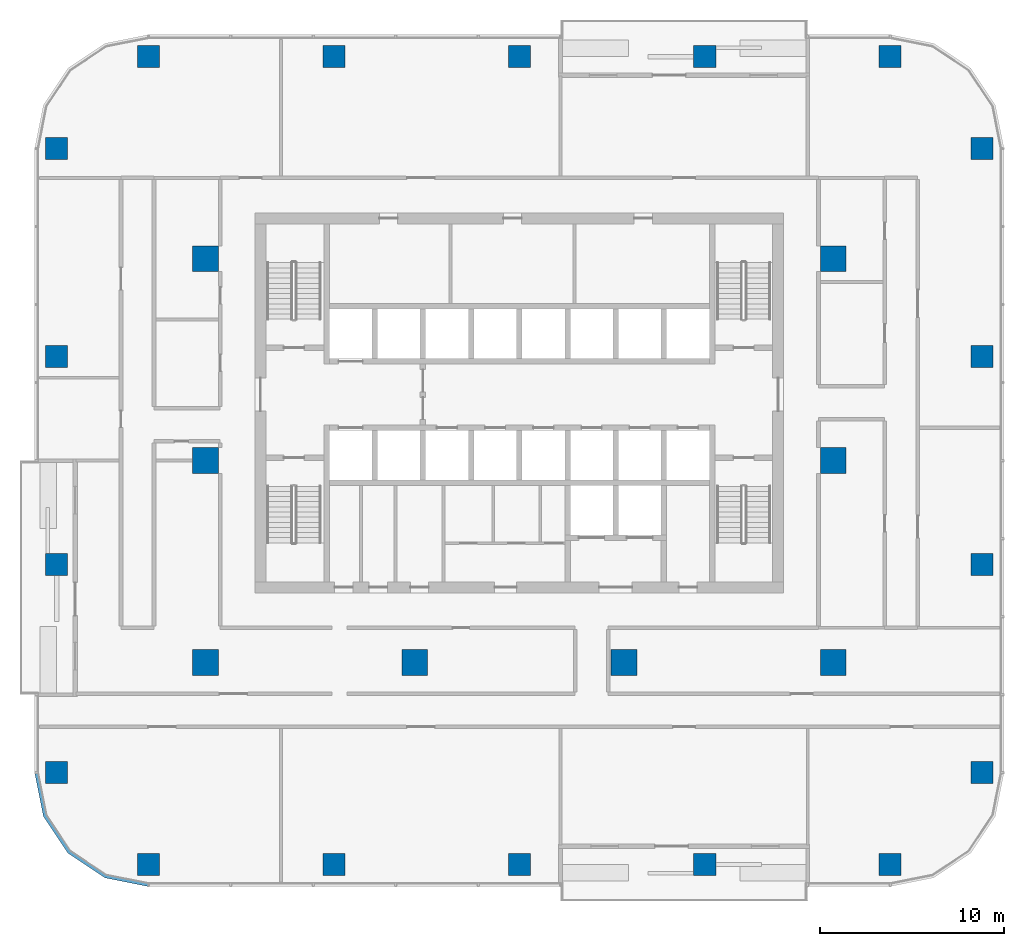
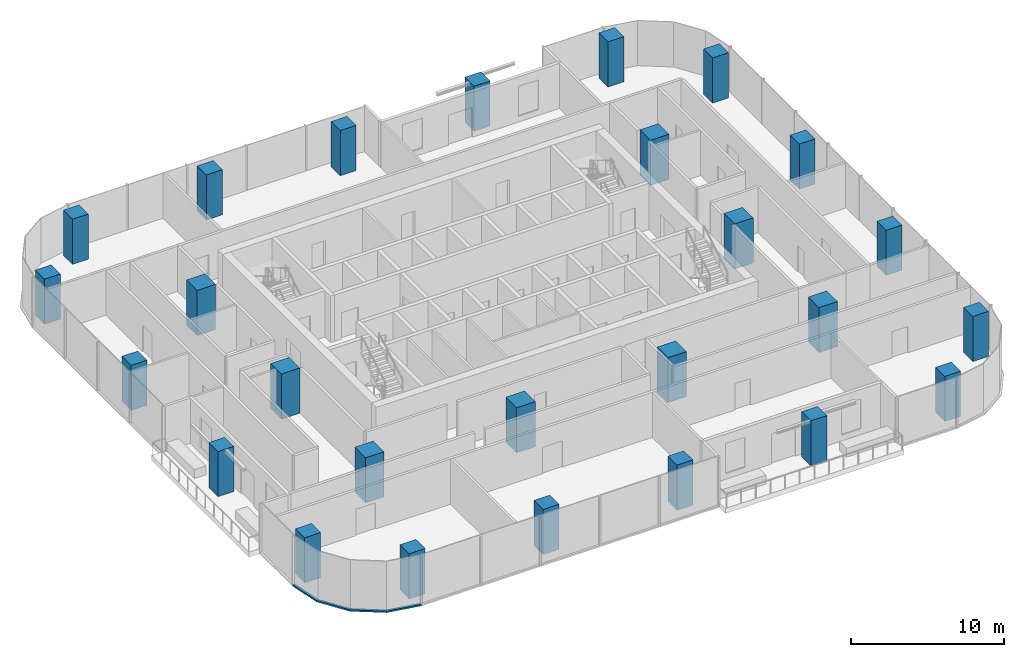
# One storey, part 1 of 14: 26 columns, 1 member, 1 element without a shape of its own.
"""IFC4 building model written with IfcOpenShell, lengths in metres."""

import ifcopenshell
import ifcopenshell.guid

model = None  # the IFC model being written
_history = None  # IfcOwnerHistory: only IFC2X3 demands one
_inside = {}  # id of a spatial element -> (the spatial element, [elements in it])
_under = {}  # id of a project, library or spatial element -> (it, [spatial elements below it])
_declared = {}  # id of a project -> (the project, [libraries it declares])
_typed = {}  # id of a type object -> (the type object, [elements of that type])
_made_of = {}  # id of a material, layer set ... -> (it, [elements and type objects made of it])


def new_model(schema):
    """Start an empty IFC model of exactly this schema.

    Asked for "IFC4X3", IfcOpenShell would pick the latest addendum, in which some entities
    have other attributes; the version numbers below select the first issue.
    IFC2X3 requires an IfcOwnerHistory on every rooted entity: one is made here for all.
    """
    global model, _history
    if schema == "IFC4X3":
        model = ifcopenshell.file(schema_version=(4, 3, 0, 0))
    else:
        model = ifcopenshell.file(schema=schema)
    _inside.clear()
    _under.clear()
    _declared.clear()
    _typed.clear()
    _made_of.clear()
    _history = None
    if model.schema == "IFC2X3":
        org = make("IfcOrganization", Name="unknown")
        user = make(
            "IfcPersonAndOrganization",
            ThePerson=make("IfcPerson", FamilyName="unknown"),
            TheOrganization=org,
        )
        app = make(
            "IfcApplication",
            ApplicationDeveloper=org,
            Version="unknown",
            ApplicationFullName="unknown",
            ApplicationIdentifier="unknown",
        )
        _history = make(
            "IfcOwnerHistory",
            OwningUser=user,
            OwningApplication=app,
            ChangeAction="ADDED",
            CreationDate=0,
        )
    return model


def make(cls, **values):
    """One entity of the class cls with the attributes given. An attribute that is None is left unset."""
    return model.create_entity(
        cls, **{name: value for name, value in values.items() if value is not None}
    )


def rooted(cls, **values):
    """An entity with a GlobalId (a new one), such as an element, a storey or a relation."""
    return make(cls, GlobalId=ifcopenshell.guid.new(), OwnerHistory=_history, **values)


def si_unit(unit_type, name, prefix=None):
    """IfcSIUnit, for example si_unit("LENGTHUNIT", "METRE", prefix="MILLI")."""
    return make("IfcSIUnit", UnitType=unit_type, Prefix=prefix, Name=name)


def assignment(units):
    """IfcUnitAssignment: the units of a project."""
    return None if units is None else make("IfcUnitAssignment", Units=units)


def point(xyz):
    """IfcCartesianPoint."""
    return None if xyz is None else make("IfcCartesianPoint", Coordinates=xyz)


def direction(xyz):
    """IfcDirection."""
    return None if xyz is None else make("IfcDirection", DirectionRatios=xyz)


def frame(location, z_axis=None, x_axis=None):
    """IfcAxis2Placement3D, a coordinate frame: its origin and axes. An axis left out is left unset."""
    return make(
        "IfcAxis2Placement3D",
        Location=point(location),
        Axis=direction(z_axis),
        RefDirection=direction(x_axis),
    )


def frame_2d(location, x_axis=None):
    """IfcAxis2Placement2D, a coordinate frame in the plane: its origin and x axis."""
    return make(
        "IfcAxis2Placement2D", Location=point(location), RefDirection=direction(x_axis)
    )


def origin():
    """The frame at (0, 0, 0) with its axes left unset."""
    return frame((0.0, 0.0, 0.0))


def origin_2d():
    """The frame at (0, 0) in the plane with its x axis left unset."""
    return frame_2d((0.0, 0.0))


def place(relative_to, where):
    """IfcLocalPlacement: puts the frame where relative to a parent placement (None: the world)."""
    return make(
        "IfcLocalPlacement", PlacementRelTo=relative_to, RelativePlacement=where
    )


def context(
    kind, dimensions, precision=None, world=None, true_north=None, identifier=None
):
    """IfcGeometricRepresentationContext, for example the 3D "Model" context."""
    return make(
        "IfcGeometricRepresentationContext",
        ContextIdentifier=identifier,
        ContextType=kind,
        CoordinateSpaceDimension=dimensions,
        Precision=precision,
        WorldCoordinateSystem=world,
        TrueNorth=true_north,
    )


def subcontext(parent, identifier, kind, view, scale=None):
    """IfcGeometricRepresentationSubContext, for example "Body" below "Model"."""
    return make(
        "IfcGeometricRepresentationSubContext",
        ContextIdentifier=identifier,
        ContextType=kind,
        ParentContext=parent,
        TargetScale=scale,
        TargetView=view,
    )


def project(units=None, contexts=None):
    """IfcProject with its units and contexts."""
    return rooted(
        "IfcProject",
        Name="project",
        RepresentationContexts=contexts,
        UnitsInContext=assignment(units),
    )


def spatial(cls, under=None, at=None, **own):
    """A site, building, storey or space (cls), placed at a placement, below another one or the project."""
    s = rooted(cls, ObjectPlacement=at, **own)
    if under is not None:
        _under.setdefault(under.id(), (under, []))[1].append(s)
    return s


def polyline(points):
    """IfcPolyline through the points."""
    return make("IfcPolyline", Points=[point(p) for p in points])


def profile(cls, at=None, kind="AREA", **sizes):
    """A parametric profile (cls). Its sizes go by their IFC names, for example OverallWidth=200.0."""
    return make(cls, ProfileType=kind, Position=at, **sizes)


def rectangle(**sizes):
    """IfcRectangleProfileDef."""
    return profile("IfcRectangleProfileDef", **sizes)


def outline(outer, holes=None, kind="AREA"):
    """IfcArbitraryClosedProfileDef: a profile drawn as a closed curve; with holes, ...WithVoids."""
    if holes is None:
        return make("IfcArbitraryClosedProfileDef", ProfileType=kind, OuterCurve=outer)
    return make(
        "IfcArbitraryProfileDefWithVoids",
        ProfileType=kind,
        OuterCurve=outer,
        InnerCurves=holes,
    )


def extrude(swept, where, along, depth):
    """IfcExtrudedAreaSolid: the profile swept, set in the frame where, extruded along a direction by depth."""
    return make(
        "IfcExtrudedAreaSolid",
        SweptArea=swept,
        Position=where,
        ExtrudedDirection=direction(along),
        Depth=depth,
    )


def shape(context_of_items, identifier, shape_type, items):
    """IfcShapeRepresentation: the items that make up one representation, for example the "Body"."""
    return make(
        "IfcShapeRepresentation",
        ContextOfItems=context_of_items,
        RepresentationIdentifier=identifier,
        RepresentationType=shape_type,
        Items=items,
    )


def material(Name=None, Category=None):
    """IfcMaterial."""
    return make("IfcMaterial", Name=Name, Category=Category)


def material_profile(
    of_material, cross_section, Name=None, Category=None, Priority=None
):
    """IfcMaterialProfile: a cross section and its material."""
    return make(
        "IfcMaterialProfile",
        Name=Name,
        Material=of_material,
        Profile=cross_section,
        Priority=Priority,
        Category=Category,
    )


def profile_set(profiles, Name=None, composite=None):
    """IfcMaterialProfileSet."""
    return make(
        "IfcMaterialProfileSet",
        Name=Name,
        MaterialProfiles=profiles,
        CompositeProfile=composite,
    )


def made_of(thing, what):
    """Note that an element or type object is made of a material, layer set ...; save() writes the relation."""
    if what is not None:
        _made_of.setdefault(what.id(), (what, []))[1].append(thing)
    return thing


def type_object(cls, material=None, **own):
    """A type object (cls), such as IfcWallType, which elements share."""
    return made_of(rooted(cls, **own), material)


def element(
    cls,
    number,
    at=None,
    inside=None,
    cuts=None,
    type_object=None,
    material=None,
    context=None,
    identifier="Body",
    shape_type=None,
    held_by="IfcProductDefinitionShape",
    body=None,
    shapes=None,
    **own,
):
    """One element of the class cls, such as IfcWall. Its Tag is "e" and its number.

    at: its placement. inside: the storey or other place that contains it. cuts: it is an
    opening in that element (IfcRelVoidsElement). A single representation is given by context,
    identifier, shape_type and body (its items); several are given by shapes. held_by: the class
    of the entity that holds the representations. save() writes the other relations.
    """
    e = rooted(cls, Tag="e%d" % number, ObjectPlacement=at, **own)
    if body is not None:
        shapes = [shape(context, identifier, shape_type, body)]
    if shapes is not None:
        e.Representation = make(held_by, Representations=shapes)
    if inside is not None:
        _inside.setdefault(inside.id(), (inside, []))[1].append(e)
    if cuts is not None:
        rooted(
            "IfcRelVoidsElement", RelatingBuildingElement=cuts, RelatedOpeningElement=e
        )
    if type_object is not None:
        _typed.setdefault(type_object.id(), (type_object, []))[1].append(e)
    return made_of(e, material)


def aggregate(whole, parts):
    """IfcRelAggregates: a whole, such as a stair, and the parts it consists of."""
    return rooted("IfcRelAggregates", RelatingObject=whole, RelatedObjects=parts)


def save(model, path):
    """Write the relations noted so far, then the file.

    IfcRelAggregates (storeys below a building ...), IfcRelContainedInSpatialStructure (elements
    in a storey), IfcRelDefinesByType, IfcRelAssociatesMaterial and IfcRelDeclares: one each for
    every whole, place, type object, material and project.
    """
    for whole, parts in _under.values():
        aggregate(whole, parts)
    for where, things in _inside.values():
        rooted(
            "IfcRelContainedInSpatialStructure",
            RelatedElements=things,
            RelatingStructure=where,
        )
    for kind, things in _typed.values():
        rooted("IfcRelDefinesByType", RelatedObjects=things, RelatingType=kind)
    for what, things in _made_of.values():
        rooted("IfcRelAssociatesMaterial", RelatedObjects=things, RelatingMaterial=what)
    for by, libraries in _declared.values():
        rooted("IfcRelDeclares", RelatingContext=by, RelatedDefinitions=libraries)
    model.write(path)


model = new_model("IFC4")

# Units and contexts
model_context = context("Model", 3, precision=1e-05, world=origin(), true_north=direction((0.0, 1.0)))
body_context = subcontext(model_context, "Body", "Model", "MODEL_VIEW")
ifc_project = project(units=[si_unit("LENGTHUNIT", "METRE"), si_unit("AREAUNIT", "SQUARE_METRE"), si_unit("VOLUMEUNIT", "CUBIC_METRE"), si_unit("PLANEANGLEUNIT", "RADIAN"), si_unit("MASSUNIT", "GRAM", prefix="KILO")], contexts=[model_context])

# Site, building, storey
site_placement = place(None, origin())
site = spatial("IfcSite", under=ifc_project, at=site_placement, CompositionType="ELEMENT")
building_placement = place(site_placement, origin())
building = spatial("IfcBuilding", under=site, at=building_placement, Name="Mopane Tessera Tower", CompositionType="ELEMENT")
storey_placement = place(building_placement, frame((0.0, 0.0, 197.0)))
storey = spatial("IfcBuildingStorey", under=building, at=storey_placement, Name="L41", CompositionType="ELEMENT", Elevation=197.0)

# Columns
ifc_material_1 = material(Name="Concrete C50/60", Category="concrete")
ifc_material_profile_1 = material_profile(ifc_material_1, rectangle(XDim=1.39990234375, YDim=1.39990234375, at=origin_2d()))
ifc_profile_set_1 = profile_set([ifc_material_profile_1], Name="Concrete C50/60")
column_type_1 = type_object("IfcColumnType", Name="Interior column 1400 x 1400 C50/60", PredefinedType="COLUMN", material=ifc_profile_set_1)
for number, where, z_axis, x_axis, name in (
    (1, (-17.10009765625, -11.0, 0.0), (0.0, 0.0, 1.0), (1.0, 0.0, 0.0), "Interior column I1A L41"),
    (2, (-17.10009765625, 0.0, 0.0), (0.0, 0.0, 1.0), (1.0, 0.0, 0.0), "Interior column I1B L41"),
    (3, (-17.10009765625, 11.0, 0.0), (0.0, 0.0, 1.0), (1.0, 0.0, 0.0), "Interior column I1C L41"),
    (4, (-5.699951171875, -11.0, 0.0), (0.0, 0.0, 1.0), (1.0, 0.0, 0.0), "Interior column I2A L41"),
    (5, (5.699951171875, -11.0, 0.0), (0.0, 0.0, 1.0), (1.0, 0.0, 0.0), "Interior column I3A L41"),
    (6, (17.10009765625, -11.0, 0.0), (0.0, 0.0, 1.0), (1.0, 0.0, 0.0), "Interior column I4A L41"),
    (7, (17.10009765625, 0.0, 0.0), (0.0, 0.0, 1.0), (1.0, 0.0, 0.0), "Interior column I4B L41"),
    (8, (17.10009765625, 11.0, 0.0), (0.0, 0.0, 1.0), (1.0, 0.0, 0.0), "Interior column I4C L41"),
):
    element("IfcColumn", number, at=place(storey_placement, frame(where, z_axis=z_axis, x_axis=x_axis)), inside=storey, type_object=column_type_1, Name=name, PredefinedType="COLUMN", context=body_context, shape_type="SweptSolid", body=[
        extrude(rectangle(XDim=1.39990234375, YDim=1.39990234375, at=origin_2d()), origin(), (0.0, 0.0, 1.0), 3.60009765625),
    ])
ifc_material_2 = material(Name="Concrete C50/60", Category="concrete")
ifc_material_profile_2 = material_profile(ifc_material_2, rectangle(XDim=1.199951171875, YDim=1.199951171875, at=origin_2d()))
ifc_profile_set_2 = profile_set([ifc_material_profile_2], Name="Concrete C50/60")
column_type_2 = type_object("IfcColumnType", Name="Ring column 1200 x 1200 C50/60", PredefinedType="COLUMN", material=ifc_profile_set_2)
for number, where, z_axis, x_axis, name in (
    (9, (-20.199951171875, -22.0, 0.0), (0.0, 0.0, 1.0), (1.0, 0.0, 0.0), "Ring column S0 L41"),
    (10, (-10.10009765625, -22.0, 0.0), (0.0, 0.0, 1.0), (1.0, 0.0, 0.0), "Ring column S1 L41"),
    (11, (0.0, -22.0, 0.0), (0.0, 0.0, 1.0), (1.0, 0.0, 0.0), "Ring column S2 L41"),
    (12, (10.10009765625, -22.0, 0.0), (0.0, 0.0, 1.0), (1.0, 0.0, 0.0), "Ring column S3 L41"),
    (13, (20.199951171875, -22.0, 0.0), (0.0, 0.0, 1.0), (1.0, 0.0, 0.0), "Ring column S4 L41"),
    (14, (25.199951171875, -17.0, 0.0), (0.0, 0.0, 1.0), (1.0, 0.0, 0.0), "Ring column E0 L41"),
    (15, (25.199951171875, -5.666748046875, 0.0), (0.0, 0.0, 1.0), (1.0, 0.0, 0.0), "Ring column E1 L41"),
    (16, (25.199951171875, 5.666748046875, 0.0), (0.0, 0.0, 1.0), (1.0, 0.0, 0.0), "Ring column E2 L41"),
    (17, (25.199951171875, 17.0, 0.0), (0.0, 0.0, 1.0), (1.0, 0.0, 0.0), "Ring column E3 L41"),
    (18, (20.199951171875, 22.0, 0.0), (0.0, 0.0, 1.0), (1.0, 0.0, 0.0), "Ring column N0 L41"),
    (19, (10.10009765625, 22.0, 0.0), (0.0, 0.0, 1.0), (1.0, 0.0, 0.0), "Ring column N1 L41"),
    (20, (0.0, 22.0, 0.0), (0.0, 0.0, 1.0), (1.0, 0.0, 0.0), "Ring column N2 L41"),
    (21, (-10.10009765625, 22.0, 0.0), (0.0, 0.0, 1.0), (1.0, 0.0, 0.0), "Ring column N3 L41"),
    (22, (-20.199951171875, 22.0, 0.0), (0.0, 0.0, 1.0), (1.0, 0.0, 0.0), "Ring column N4 L41"),
    (23, (-25.199951171875, 17.0, 0.0), (0.0, 0.0, 1.0), (1.0, 0.0, 0.0), "Ring column W0 L41"),
    (24, (-25.199951171875, 5.666748046875, 0.0), (0.0, 0.0, 1.0), (1.0, 0.0, 0.0), "Ring column W1 L41"),
    (25, (-25.199951171875, -5.666748046875, 0.0), (0.0, 0.0, 1.0), (1.0, 0.0, 0.0), "Ring column W2 L41"),
    (26, (-25.199951171875, -17.0, 0.0), (0.0, 0.0, 1.0), (1.0, 0.0, 0.0), "Ring column W3 L41"),
):
    element("IfcColumn", number, at=place(storey_placement, frame(where, z_axis=z_axis, x_axis=x_axis)), inside=storey, type_object=column_type_2, Name=name, PredefinedType="COLUMN", context=body_context, shape_type="SweptSolid", body=[
        extrude(rectangle(XDim=1.199951171875, YDim=1.199951171875, at=origin_2d()), origin(), (0.0, 0.0, 1.0), 3.60009765625),
    ])

# Curtain wall, member
ifc_material_3 = material(Name="Aluminium frame", Category="aluminium")
curtain_wall_type = type_object("IfcCurtainWallType", Name="Unitised curtain wall", PredefinedType="NOTDEFINED", material=ifc_material_3)
curtain_wall_placement = place(storey_placement, origin())
curtain_wall = element("IfcCurtainWall", 27, at=curtain_wall_placement, inside=storey, type_object=curtain_wall_type, Name="e:cw:L41:CW", PredefinedType="NOTDEFINED")
ifc_material_4 = material(Name="Aluminium frame", Category="aluminium")
ifc_material_profile_3 = material_profile(ifc_material_4, rectangle(XDim=0.199951171875, YDim=0.1201171875, at=origin_2d()))
ifc_profile_set_3 = profile_set([ifc_material_profile_3], Name="Aluminium frame")
member_type = type_object("IfcMemberType", Name="Aluminium transom 200 x 120", PredefinedType="USERDEFINED", material=ifc_profile_set_3)
member_placement = place(storey_placement, frame((0.0, 0.0, -0.39990234375)))
member = element("IfcMember", 28, at=member_placement, type_object=member_type, Name="e:cw:L41:CW:tr", ObjectType="TRANSOM", PredefinedType="USERDEFINED", context=body_context, shape_type="SweptSolid", body=[
    extrude(outline(polyline([(-26.199951171875, -17.0), (-25.7431640625, -19.296142578125), (-24.442626953125, -21.24267578125), (-22.49609375, -22.543212890625), (-20.199951171875, -23.0), (-20.199951171875, -23.199951171875), (-22.57275390625, -22.72802734375), (-24.583984375, -21.384033203125), (-25.927978515625, -19.37255859375), (-26.39990234375, -17.0), (-26.199951171875, -17.0)])), origin(), (0.0, 0.0, 1.0), 0.119873046875),
])
aggregate(curtain_wall, [member])

save(model, "model.ifc")
